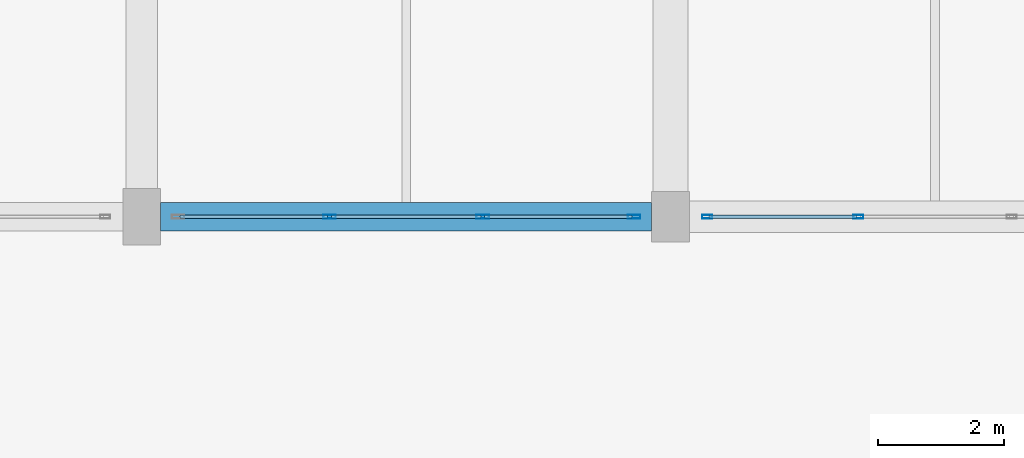
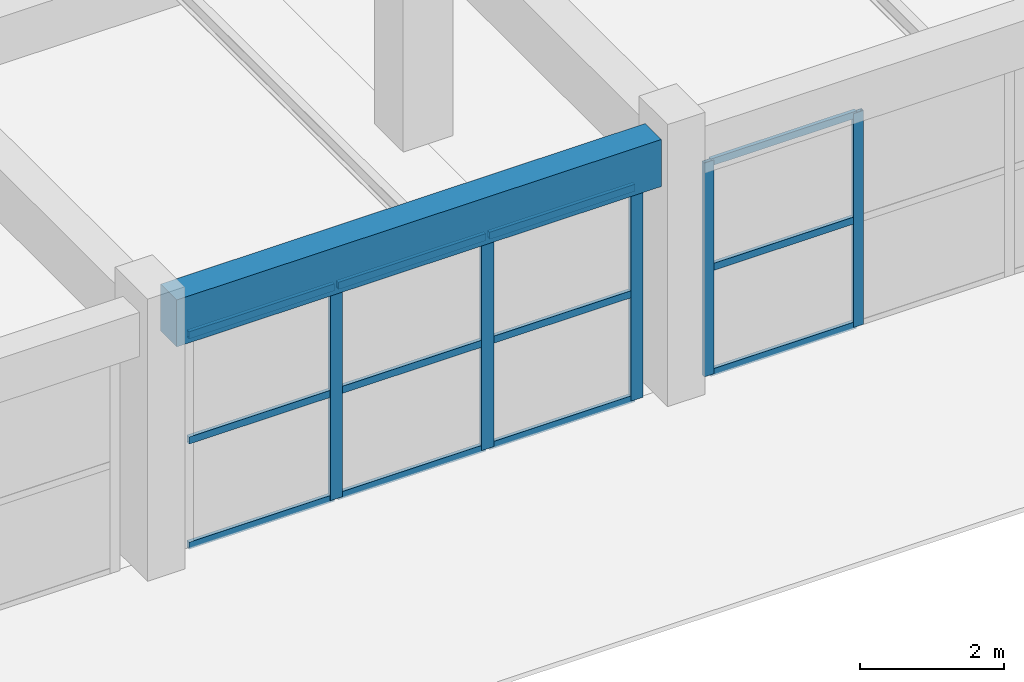
# One storey, part 14 of 72: 17 members, 1 beam, 2 elements without a shape of their own.
"""IFC4 building model written with IfcOpenShell, lengths in metres."""

from ifc_helpers import new_model, si_unit, direction, frame, origin, origin_2d, place, context, subcontext, project, spatial, rectangle, hollow_rectangle, extrude, material, material_profile, profile_set, type_object, element, aggregate, save


model = new_model("IFC4")

# Units and contexts
model_context = context("Model", 3, precision=1e-05, world=origin(), true_north=direction((0.0, 1.0)))
body_context = subcontext(model_context, "Body", "Model", "MODEL_VIEW")
ifc_project = project(units=[si_unit("LENGTHUNIT", "METRE"), si_unit("AREAUNIT", "SQUARE_METRE"), si_unit("VOLUMEUNIT", "CUBIC_METRE"), si_unit("PLANEANGLEUNIT", "RADIAN"), si_unit("MASSUNIT", "GRAM", prefix="KILO")], contexts=[model_context])

# Site, building, storey
site_placement = place(None, origin())
site = spatial("IfcSite", under=ifc_project, at=site_placement, CompositionType="ELEMENT")
building_placement = place(site_placement, origin())
building = spatial("IfcBuilding", under=site, at=building_placement, Name="Korsvaeld Concert Hall", CompositionType="ELEMENT")
storey_placement = place(building_placement, origin())
storey = spatial("IfcBuildingStorey", under=building, at=storey_placement, Name="L00", CompositionType="ELEMENT", Elevation=0.0)

# Beam
ifc_material_1 = material(Name="Concrete C35/45", Category="concrete")
ifc_material_profile_1 = material_profile(ifc_material_1, rectangle(XDim=0.449951171875, YDim=0.800048828125, at=origin_2d()), Name="RC 450x800")
ifc_profile_set_1 = profile_set([ifc_material_profile_1], Name="Concrete C35/45")
beam_type = type_object("IfcBeamType", Name="BM-RC-450x800", PredefinedType="T_BEAM", material=ifc_profile_set_1)
beam_placement = place(storey_placement, frame((75.89990234375, 28.800048828125, 4.0400390625), z_axis=(1.0, 0.0, 0.0), x_axis=(0.0, 1.0, 0.0)))
element("IfcBeam", 1, at=beam_placement, inside=storey, type_object=beam_type, Name="Primary girder 11-12/E L00", PredefinedType="T_BEAM", context=body_context, shape_type="SweptSolid", body=[
    extrude(rectangle(XDim=0.449951171875, YDim=0.800048828125, at=origin_2d()), origin(), (0.0, 0.0, 1.0), 7.800048828125),
])

# Curtain wall, members
ifc_material_2 = material(Name="Anodised bronze and ceramic-fritted safety glass", Category="glass")
curtain_wall_type_1 = type_object("IfcCurtainWallType", Name="CW-TYPE-11", PredefinedType="USERDEFINED", material=ifc_material_2)
curtain_wall_1_placement = place(storey_placement, origin())
curtain_wall_1 = element("IfcCurtainWall", 2, at=curtain_wall_1_placement, inside=storey, type_object=curtain_wall_type_1, Name="Wintergarden foyer curtain wall L00-03", ObjectType="CURTAIN WALL", PredefinedType="USERDEFINED")
ifc_material_3 = material(Name="Anodised architectural bronze aluminium", Category="aluminium")
ifc_material_profile_2 = material_profile(ifc_material_3, hollow_rectangle(XDim=0.06005859375, YDim=0.159912109375, WallThickness=0.00390625, at=origin_2d()), Name="CWM 160x60x4")
ifc_profile_set_2 = profile_set([ifc_material_profile_2], Name="Anodised architectural bronze aluminium")
member_type_1 = type_object("IfcMemberType", Name="CWM-ALUM-160x60", PredefinedType="MULLION", material=ifc_profile_set_2)
member_1_placement = place(storey_placement, frame((86.9833984375, 28.800048828125, 0.0), z_axis=(0.0, 0.0, 1.0), x_axis=(0.0, -1.0, 0.0)))
member_1 = element("IfcMember", 3, at=member_1_placement, type_object=member_type_1, Name="CW-11 mullion 3", PredefinedType="MULLION", context=body_context, shape_type="SweptSolid", body=[
    extrude(hollow_rectangle(XDim=0.06005859375, YDim=0.159912109375, WallThickness=0.00390625, at=origin_2d()), origin(), (0.0, 0.0, 1.0), 3.639892578125),
])
member_2_placement = place(storey_placement, frame((84.580078125, 28.800048828125, 0.0), z_axis=(0.0, 0.0, 1.0), x_axis=(0.0, -1.0, 0.0)))
member_2 = element("IfcMember", 4, at=member_2_placement, type_object=member_type_1, Name="CW-11 mullion 4", PredefinedType="MULLION", context=body_context, shape_type="SweptSolid", body=[
    extrude(hollow_rectangle(XDim=0.06005859375, YDim=0.159912109375, WallThickness=0.00390625, at=origin_2d()), origin(), (0.0, 0.0, 1.0), 3.639892578125),
])

curtain_wall_type_2 = type_object("IfcCurtainWallType", Name="CW-TYPE-12", PredefinedType="USERDEFINED", material=ifc_material_2)
curtain_wall_2_placement = place(storey_placement, origin())
curtain_wall_2 = element("IfcCurtainWall", 5, at=curtain_wall_2_placement, inside=storey, type_object=curtain_wall_type_2, Name="Wintergarden foyer curtain wall L00-04", ObjectType="CURTAIN WALL", PredefinedType="USERDEFINED")
ifc_material_profile_3 = material_profile(ifc_material_3, hollow_rectangle(XDim=0.06005859375, YDim=0.199951171875, WallThickness=0.0048828125, at=origin_2d()), Name="CWM 200x60x5")
ifc_profile_set_3 = profile_set([ifc_material_profile_3], Name="Anodised architectural bronze aluminium")
member_type_2 = type_object("IfcMemberType", Name="CWM-ALUM-200x60", PredefinedType="MULLION", material=ifc_profile_set_3)
member_3_placement = place(storey_placement, frame((83.419921875, 28.800048828125, 0.0), z_axis=(0.0, 0.0, 1.0), x_axis=(0.0, -1.0, 0.0)))
member_3 = element("IfcMember", 6, at=member_3_placement, type_object=member_type_2, Name="CW-12 mullion 1", PredefinedType="MULLION", context=body_context, shape_type="SweptSolid", body=[
    extrude(hollow_rectangle(XDim=0.06005859375, YDim=0.199951171875, WallThickness=0.0048828125, at=origin_2d()), origin(), (0.0, 0.0, 1.0), 3.639892578125),
])
member_4_placement = place(storey_placement, frame((81.0166015625, 28.800048828125, 0.0), z_axis=(0.0, 0.0, 1.0), x_axis=(0.0, -1.0, 0.0)))
member_4 = element("IfcMember", 7, at=member_4_placement, type_object=member_type_2, Name="CW-12 mullion 2", PredefinedType="MULLION", context=body_context, shape_type="SweptSolid", body=[
    extrude(hollow_rectangle(XDim=0.06005859375, YDim=0.199951171875, WallThickness=0.0048828125, at=origin_2d()), origin(), (0.0, 0.0, 1.0), 3.639892578125),
])
member_5_placement = place(storey_placement, frame((78.583251953125, 28.800048828125, 0.0), z_axis=(0.0, 0.0, 1.0), x_axis=(0.0, -1.0, 0.0)))
member_5 = element("IfcMember", 8, at=member_5_placement, type_object=member_type_2, Name="CW-12 mullion 3", PredefinedType="MULLION", context=body_context, shape_type="SweptSolid", body=[
    extrude(hollow_rectangle(XDim=0.06005859375, YDim=0.199951171875, WallThickness=0.0048828125, at=origin_2d()), origin(), (0.0, 0.0, 1.0), 3.639892578125),
])

# Member
ifc_material_profile_4 = material_profile(ifc_material_3, hollow_rectangle(XDim=0.06005859375, YDim=0.1201171875, WallThickness=0.00390625, at=origin_2d()), Name="CWT 120x60x4")
ifc_profile_set_4 = profile_set([ifc_material_profile_4], Name="Anodised architectural bronze aluminium")
member_type_3 = type_object("IfcMemberType", Name="CWT-ALUM-120x60", PredefinedType="USERDEFINED", material=ifc_profile_set_4)
member_6_placement = place(storey_placement, frame((86.953369140625, 28.800048828125, 0.030029296875), z_axis=(-1.0, 0.0, 0.0), x_axis=(0.0, -1.0, 0.0)))
member_6 = element("IfcMember", 9, at=member_6_placement, type_object=member_type_3, Name="CW-11 transom 3.1", ObjectType="TRANSOM", PredefinedType="USERDEFINED", context=body_context, shape_type="SweptSolid", body=[
    extrude(hollow_rectangle(XDim=0.06005859375, YDim=0.1201171875, WallThickness=0.00390625, at=origin_2d()), origin(), (0.0, 0.0, 1.0), 2.34326171875),
])

member_7_placement = place(storey_placement, frame((86.953369140625, 28.800048828125, 1.820068359375), z_axis=(-1.0, 0.0, 0.0), x_axis=(0.0, -1.0, 0.0)))
member_7 = element("IfcMember", 10, at=member_7_placement, type_object=member_type_3, Name="CW-11 transom 3.2", ObjectType="TRANSOM", PredefinedType="USERDEFINED", context=body_context, shape_type="SweptSolid", body=[
    extrude(hollow_rectangle(XDim=0.06005859375, YDim=0.1201171875, WallThickness=0.00390625, at=origin_2d()), origin(), (0.0, 0.0, 1.0), 2.34326171875),
])

member_8_placement = place(storey_placement, frame((86.953369140625, 28.800048828125, 3.610107421875), z_axis=(-1.0, 0.0, 0.0), x_axis=(0.0, -1.0, 0.0)))
member_8 = element("IfcMember", 11, at=member_8_placement, type_object=member_type_3, Name="CW-11 transom 3.3", ObjectType="TRANSOM", PredefinedType="USERDEFINED", context=body_context, shape_type="SweptSolid", body=[
    extrude(hollow_rectangle(XDim=0.06005859375, YDim=0.1201171875, WallThickness=0.00390625, at=origin_2d()), origin(), (0.0, 0.0, 1.0), 2.34326171875),
])

aggregate(curtain_wall_1, [member_1, member_2, member_6, member_7, member_8])

member_9_placement = place(storey_placement, frame((83.389892578125, 28.800048828125, 0.030029296875), z_axis=(-1.0, 0.0, 0.0), x_axis=(0.0, -1.0, 0.0)))
member_9 = element("IfcMember", 12, at=member_9_placement, type_object=member_type_3, Name="CW-12 transom 1.1", ObjectType="TRANSOM", PredefinedType="USERDEFINED", context=body_context, shape_type="SweptSolid", body=[
    extrude(hollow_rectangle(XDim=0.06005859375, YDim=0.1201171875, WallThickness=0.00390625, at=origin_2d()), origin(), (0.0, 0.0, 1.0), 2.34326171875),
])

member_10_placement = place(storey_placement, frame((83.389892578125, 28.800048828125, 1.820068359375), z_axis=(-1.0, 0.0, 0.0), x_axis=(0.0, -1.0, 0.0)))
member_10 = element("IfcMember", 13, at=member_10_placement, type_object=member_type_3, Name="CW-12 transom 1.2", ObjectType="TRANSOM", PredefinedType="USERDEFINED", context=body_context, shape_type="SweptSolid", body=[
    extrude(hollow_rectangle(XDim=0.06005859375, YDim=0.1201171875, WallThickness=0.00390625, at=origin_2d()), origin(), (0.0, 0.0, 1.0), 2.34326171875),
])

member_11_placement = place(storey_placement, frame((83.389892578125, 28.800048828125, 3.610107421875), z_axis=(-1.0, 0.0, 0.0), x_axis=(0.0, -1.0, 0.0)))
member_11 = element("IfcMember", 14, at=member_11_placement, type_object=member_type_3, Name="CW-12 transom 1.3", ObjectType="TRANSOM", PredefinedType="USERDEFINED", context=body_context, shape_type="SweptSolid", body=[
    extrude(hollow_rectangle(XDim=0.06005859375, YDim=0.1201171875, WallThickness=0.00390625, at=origin_2d()), origin(), (0.0, 0.0, 1.0), 2.34326171875),
])

member_12_placement = place(storey_placement, frame((80.986572265625, 28.800048828125, 0.030029296875), z_axis=(-1.0, 0.0, 0.0), x_axis=(0.0, -1.0, 0.0)))
member_12 = element("IfcMember", 15, at=member_12_placement, type_object=member_type_3, Name="CW-12 transom 2.1", ObjectType="TRANSOM", PredefinedType="USERDEFINED", context=body_context, shape_type="SweptSolid", body=[
    extrude(hollow_rectangle(XDim=0.06005859375, YDim=0.1201171875, WallThickness=0.00390625, at=origin_2d()), origin(), (0.0, 0.0, 1.0), 2.373291015625),
])

member_13_placement = place(storey_placement, frame((80.986572265625, 28.800048828125, 1.820068359375), z_axis=(-1.0, 0.0, 0.0), x_axis=(0.0, -1.0, 0.0)))
member_13 = element("IfcMember", 16, at=member_13_placement, type_object=member_type_3, Name="CW-12 transom 2.2", ObjectType="TRANSOM", PredefinedType="USERDEFINED", context=body_context, shape_type="SweptSolid", body=[
    extrude(hollow_rectangle(XDim=0.06005859375, YDim=0.1201171875, WallThickness=0.00390625, at=origin_2d()), origin(), (0.0, 0.0, 1.0), 2.373291015625),
])

member_14_placement = place(storey_placement, frame((80.986572265625, 28.800048828125, 3.610107421875), z_axis=(-1.0, 0.0, 0.0), x_axis=(0.0, -1.0, 0.0)))
member_14 = element("IfcMember", 17, at=member_14_placement, type_object=member_type_3, Name="CW-12 transom 2.3", ObjectType="TRANSOM", PredefinedType="USERDEFINED", context=body_context, shape_type="SweptSolid", body=[
    extrude(hollow_rectangle(XDim=0.06005859375, YDim=0.1201171875, WallThickness=0.00390625, at=origin_2d()), origin(), (0.0, 0.0, 1.0), 2.373291015625),
])

member_15_placement = place(storey_placement, frame((78.55322265625, 28.800048828125, 0.030029296875), z_axis=(-1.0, 0.0, 0.0), x_axis=(0.0, -1.0, 0.0)))
member_15 = element("IfcMember", 18, at=member_15_placement, type_object=member_type_3, Name="CW-12 transom 3.1", ObjectType="TRANSOM", PredefinedType="USERDEFINED", context=body_context, shape_type="SweptSolid", body=[
    extrude(hollow_rectangle(XDim=0.06005859375, YDim=0.1201171875, WallThickness=0.00390625, at=origin_2d()), origin(), (0.0, 0.0, 1.0), 2.34326171875),
])

member_16_placement = place(storey_placement, frame((78.55322265625, 28.800048828125, 1.820068359375), z_axis=(-1.0, 0.0, 0.0), x_axis=(0.0, -1.0, 0.0)))
member_16 = element("IfcMember", 19, at=member_16_placement, type_object=member_type_3, Name="CW-12 transom 3.2", ObjectType="TRANSOM", PredefinedType="USERDEFINED", context=body_context, shape_type="SweptSolid", body=[
    extrude(hollow_rectangle(XDim=0.06005859375, YDim=0.1201171875, WallThickness=0.00390625, at=origin_2d()), origin(), (0.0, 0.0, 1.0), 2.34326171875),
])

member_17_placement = place(storey_placement, frame((78.55322265625, 28.800048828125, 3.610107421875), z_axis=(-1.0, 0.0, 0.0), x_axis=(0.0, -1.0, 0.0)))
member_17 = element("IfcMember", 20, at=member_17_placement, type_object=member_type_3, Name="CW-12 transom 3.3", ObjectType="TRANSOM", PredefinedType="USERDEFINED", context=body_context, shape_type="SweptSolid", body=[
    extrude(hollow_rectangle(XDim=0.06005859375, YDim=0.1201171875, WallThickness=0.00390625, at=origin_2d()), origin(), (0.0, 0.0, 1.0), 2.34326171875),
])

aggregate(curtain_wall_2, [member_3, member_4, member_5, member_9, member_10, member_11, member_12, member_13, member_14, member_15, member_16, member_17])

save(model, "model.ifc")
